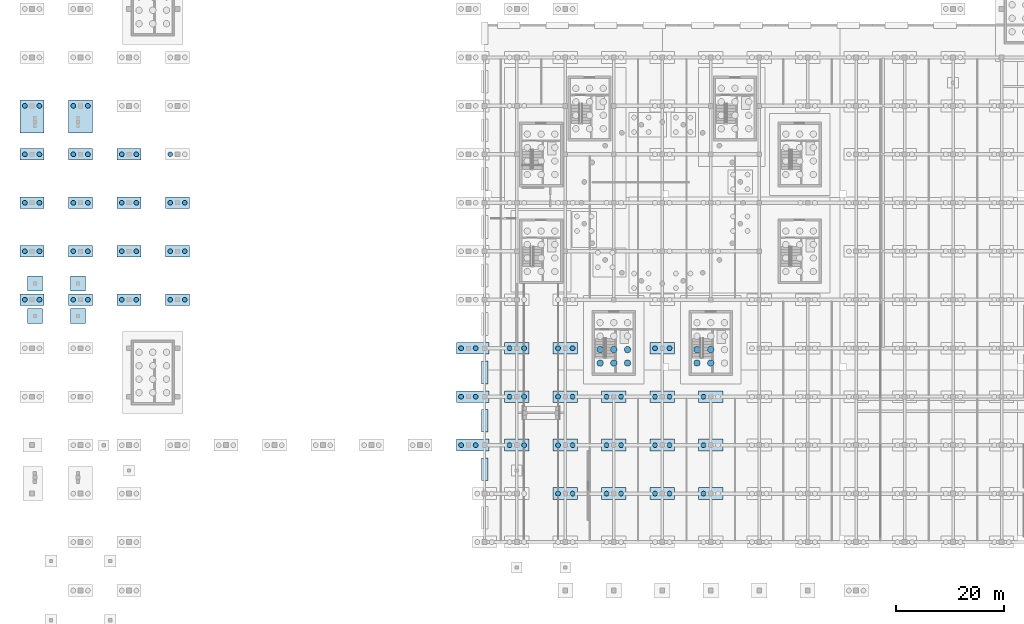
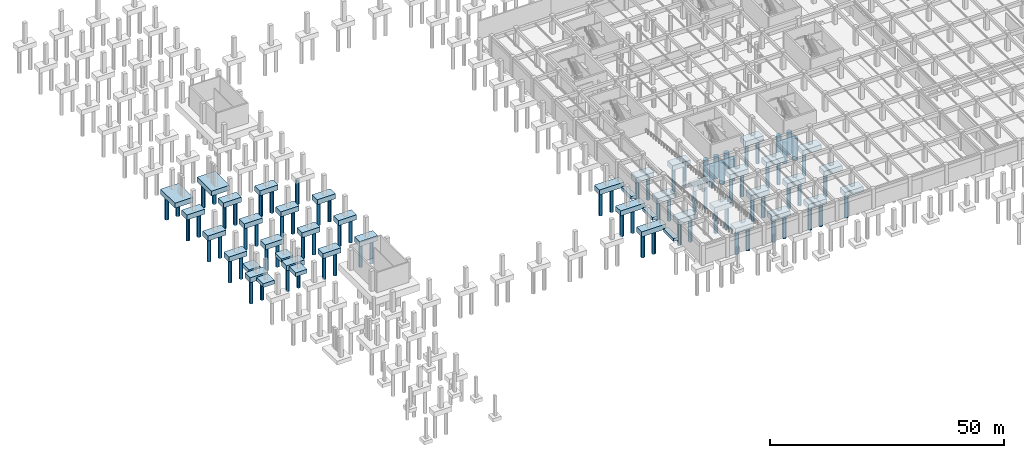
# One storey, part 2 of 27: 82 piles, 44 footings.
"""IFC4 building model written with IfcOpenShell, lengths in metres."""

from ifc_helpers import new_model, si_unit, direction, frame, origin, origin_2d, place, context, subcontext, project, spatial, polyline, circle, outline, extrude, material, layer, layer_set, material_profile, profile_set, type_object, element, save


model = new_model("IFC4")

# Units and contexts
model_context = context("Model", 3, precision=1e-05, world=origin(), true_north=direction((0.0, 1.0)))
body_context = subcontext(model_context, "Body", "Model", "MODEL_VIEW")
ifc_project = project(units=[si_unit("LENGTHUNIT", "METRE"), si_unit("AREAUNIT", "SQUARE_METRE"), si_unit("VOLUMEUNIT", "CUBIC_METRE"), si_unit("PLANEANGLEUNIT", "RADIAN"), si_unit("MASSUNIT", "GRAM", prefix="KILO")], contexts=[model_context])

# Site, building, storey
site_placement = place(None, origin())
site = spatial("IfcSite", under=ifc_project, at=site_placement, CompositionType="ELEMENT")
building_placement = place(site_placement, origin())
building = spatial("IfcBuilding", under=site, at=building_placement, Name="Dornveld Trade and Exhibition Forum", CompositionType="ELEMENT")
storey_placement = place(building_placement, frame((0.0, 0.0, -4.800048828125)))
storey = spatial("IfcBuildingStorey", under=building, at=storey_placement, Name="B1", CompositionType="ELEMENT", Elevation=-4.800048828125)

# Footings
ifc_material_1 = material(Name="Concrete C40/50", Category="concrete")
ifc_layer_1 = layer(ifc_material_1, 1.300048828125)
ifc_layer_set_1 = layer_set([ifc_layer_1], Name="Concrete C40/50")
footing_type_1 = type_object("IfcFootingType", Name="FT-CAP-2P", PredefinedType="PILE_CAP", material=ifc_layer_set_1)
footing_1_placement = place(storey_placement, frame((0.0, 0.0, -1.75)))
element("IfcFooting", 1, at=footing_1_placement, inside=storey, type_object=footing_type_1, Name="Multi-pile cap 15", PredefinedType="PILE_CAP", context=body_context, shape_type="SweptSolid", body=[
    extrude(outline(polyline([(-2.25, 61.89990234375), (2.25, 61.89990234375), (2.25, 64.10009765625), (-2.25, 64.10009765625), (-2.25, 61.89990234375)])), origin(), (0.0, 0.0, 1.0), 1.300048828125),
])
footing_2_placement = place(storey_placement, frame((0.0, 0.0, -1.75)))
element("IfcFooting", 2, at=footing_2_placement, inside=storey, type_object=footing_type_1, Name="Multi-pile cap 16", PredefinedType="PILE_CAP", context=body_context, shape_type="SweptSolid", body=[
    extrude(outline(polyline([(-2.25, 70.89990234375), (2.25, 70.89990234375), (2.25, 73.10009765625), (-2.25, 73.10009765625), (-2.25, 70.89990234375)])), origin(), (0.0, 0.0, 1.0), 1.300048828125),
])
footing_3_placement = place(storey_placement, frame((0.0, 0.0, -1.75)))
element("IfcFooting", 3, at=footing_3_placement, inside=storey, type_object=footing_type_1, Name="Multi-pile cap 17", PredefinedType="PILE_CAP", context=body_context, shape_type="SweptSolid", body=[
    extrude(outline(polyline([(-2.25, 79.89990234375), (2.25, 79.89990234375), (2.25, 82.10009765625), (-2.25, 82.10009765625), (-2.25, 79.89990234375)])), origin(), (0.0, 0.0, 1.0), 1.300048828125),
])
footing_4_placement = place(storey_placement, frame((0.0, 0.0, -1.75)))
element("IfcFooting", 4, at=footing_4_placement, inside=storey, type_object=footing_type_1, Name="Multi-pile cap 18", PredefinedType="PILE_CAP", context=body_context, shape_type="SweptSolid", body=[
    extrude(outline(polyline([(-2.25, 88.89990234375), (2.25, 88.89990234375), (2.25, 91.10009765625), (-2.25, 91.10009765625), (-2.25, 88.89990234375)])), origin(), (0.0, 0.0, 1.0), 1.300048828125),
])
footing_5_placement = place(storey_placement, frame((0.0, 0.0, -1.75)))
element("IfcFooting", 5, at=footing_5_placement, inside=storey, type_object=footing_type_1, Name="Multi-pile cap 19", PredefinedType="PILE_CAP", context=body_context, shape_type="SweptSolid", body=[
    extrude(outline(polyline([(-2.25, 94.0), (2.25, 94.0), (2.25, 100.10009765625), (-2.25, 100.10009765625), (-2.25, 94.0)])), origin(), (0.0, 0.0, 1.0), 1.300048828125),
])
footing_6_placement = place(storey_placement, frame((0.0, 0.0, -1.75)))
element("IfcFooting", 6, at=footing_6_placement, inside=storey, type_object=footing_type_1, Name="Multi-pile cap 34", PredefinedType="PILE_CAP", context=body_context, shape_type="SweptSolid", body=[
    extrude(outline(polyline([(6.75, 61.89990234375), (11.25, 61.89990234375), (11.25, 64.10009765625), (6.75, 64.10009765625), (6.75, 61.89990234375)])), origin(), (0.0, 0.0, 1.0), 1.300048828125),
])
footing_7_placement = place(storey_placement, frame((0.0, 0.0, -1.75)))
element("IfcFooting", 7, at=footing_7_placement, inside=storey, type_object=footing_type_1, Name="Multi-pile cap 35", PredefinedType="PILE_CAP", context=body_context, shape_type="SweptSolid", body=[
    extrude(outline(polyline([(6.75, 70.89990234375), (11.25, 70.89990234375), (11.25, 73.10009765625), (6.75, 73.10009765625), (6.75, 70.89990234375)])), origin(), (0.0, 0.0, 1.0), 1.300048828125),
])
footing_8_placement = place(storey_placement, frame((0.0, 0.0, -1.75)))
element("IfcFooting", 8, at=footing_8_placement, inside=storey, type_object=footing_type_1, Name="Multi-pile cap 36", PredefinedType="PILE_CAP", context=body_context, shape_type="SweptSolid", body=[
    extrude(outline(polyline([(6.75, 79.89990234375), (11.25, 79.89990234375), (11.25, 82.10009765625), (6.75, 82.10009765625), (6.75, 79.89990234375)])), origin(), (0.0, 0.0, 1.0), 1.300048828125),
])
footing_9_placement = place(storey_placement, frame((0.0, 0.0, -1.75)))
element("IfcFooting", 9, at=footing_9_placement, inside=storey, type_object=footing_type_1, Name="Multi-pile cap 37", PredefinedType="PILE_CAP", context=body_context, shape_type="SweptSolid", body=[
    extrude(outline(polyline([(6.75, 88.89990234375), (11.25, 88.89990234375), (11.25, 91.10009765625), (6.75, 91.10009765625), (6.75, 88.89990234375)])), origin(), (0.0, 0.0, 1.0), 1.300048828125),
])
footing_10_placement = place(storey_placement, frame((0.0, 0.0, -1.75)))
element("IfcFooting", 10, at=footing_10_placement, inside=storey, type_object=footing_type_1, Name="Multi-pile cap 38", PredefinedType="PILE_CAP", context=body_context, shape_type="SweptSolid", body=[
    extrude(outline(polyline([(6.75, 94.0), (11.25, 94.0), (11.25, 100.10009765625), (6.75, 100.10009765625), (6.75, 94.0)])), origin(), (0.0, 0.0, 1.0), 1.300048828125),
])
footing_11_placement = place(storey_placement, frame((0.0, 0.0, -1.75)))
element("IfcFooting", 11, at=footing_11_placement, inside=storey, type_object=footing_type_1, Name="Multi-pile cap 50", PredefinedType="PILE_CAP", context=body_context, shape_type="SweptSolid", body=[
    extrude(outline(polyline([(15.75, 61.89990234375), (20.25, 61.89990234375), (20.25, 64.10009765625), (15.75, 64.10009765625), (15.75, 61.89990234375)])), origin(), (0.0, 0.0, 1.0), 1.300048828125),
])
footing_12_placement = place(storey_placement, frame((0.0, 0.0, -1.75)))
element("IfcFooting", 12, at=footing_12_placement, inside=storey, type_object=footing_type_1, Name="Multi-pile cap 51", PredefinedType="PILE_CAP", context=body_context, shape_type="SweptSolid", body=[
    extrude(outline(polyline([(15.75, 70.89990234375), (20.25, 70.89990234375), (20.25, 73.10009765625), (15.75, 73.10009765625), (15.75, 70.89990234375)])), origin(), (0.0, 0.0, 1.0), 1.300048828125),
])
footing_13_placement = place(storey_placement, frame((0.0, 0.0, -1.75)))
element("IfcFooting", 13, at=footing_13_placement, inside=storey, type_object=footing_type_1, Name="Multi-pile cap 52", PredefinedType="PILE_CAP", context=body_context, shape_type="SweptSolid", body=[
    extrude(outline(polyline([(15.75, 79.89990234375), (20.25, 79.89990234375), (20.25, 82.10009765625), (15.75, 82.10009765625), (15.75, 79.89990234375)])), origin(), (0.0, 0.0, 1.0), 1.300048828125),
])
footing_14_placement = place(storey_placement, frame((0.0, 0.0, -1.75)))
element("IfcFooting", 14, at=footing_14_placement, inside=storey, type_object=footing_type_1, Name="Multi-pile cap 53", PredefinedType="PILE_CAP", context=body_context, shape_type="SweptSolid", body=[
    extrude(outline(polyline([(15.75, 88.89990234375), (20.25, 88.89990234375), (20.25, 91.10009765625), (15.75, 91.10009765625), (15.75, 88.89990234375)])), origin(), (0.0, 0.0, 1.0), 1.300048828125),
])
footing_15_placement = place(storey_placement, frame((0.0, 0.0, -1.75)))
element("IfcFooting", 15, at=footing_15_placement, inside=storey, type_object=footing_type_1, Name="Multi-pile cap 61", PredefinedType="PILE_CAP", context=body_context, shape_type="SweptSolid", body=[
    extrude(outline(polyline([(24.75, 61.89990234375), (29.25, 61.89990234375), (29.25, 64.10009765625), (24.75, 64.10009765625), (24.75, 61.89990234375)])), origin(), (0.0, 0.0, 1.0), 1.300048828125),
])
footing_16_placement = place(storey_placement, frame((0.0, 0.0, -1.75)))
element("IfcFooting", 16, at=footing_16_placement, inside=storey, type_object=footing_type_1, Name="Multi-pile cap 62", PredefinedType="PILE_CAP", context=body_context, shape_type="SweptSolid", body=[
    extrude(outline(polyline([(24.75, 70.89990234375), (29.25, 70.89990234375), (29.25, 73.10009765625), (24.75, 73.10009765625), (24.75, 70.89990234375)])), origin(), (0.0, 0.0, 1.0), 1.300048828125),
])
footing_17_placement = place(storey_placement, frame((0.0, 0.0, -1.75)))
element("IfcFooting", 17, at=footing_17_placement, inside=storey, type_object=footing_type_1, Name="Multi-pile cap 63", PredefinedType="PILE_CAP", context=body_context, shape_type="SweptSolid", body=[
    extrude(outline(polyline([(24.75, 79.89990234375), (29.25, 79.89990234375), (29.25, 82.10009765625), (24.75, 82.10009765625), (24.75, 79.89990234375)])), origin(), (0.0, 0.0, 1.0), 1.300048828125),
])
footing_18_placement = place(storey_placement, frame((0.0, 0.0, -1.75)))
element("IfcFooting", 18, at=footing_18_placement, inside=storey, type_object=footing_type_1, Name="Multi-pile cap 81", PredefinedType="PILE_CAP", context=body_context, shape_type="SweptSolid", body=[
    extrude(outline(polyline([(78.75, 34.89990234375), (84.800048828125, 34.89990234375), (84.800048828125, 37.10009765625), (78.75, 37.10009765625), (78.75, 34.89990234375)])), origin(), (0.0, 0.0, 1.0), 1.300048828125),
])
footing_19_placement = place(storey_placement, frame((0.0, 0.0, -1.75)))
element("IfcFooting", 19, at=footing_19_placement, inside=storey, type_object=footing_type_1, Name="Multi-pile cap 82", PredefinedType="PILE_CAP", context=body_context, shape_type="SweptSolid", body=[
    extrude(outline(polyline([(78.75, 43.89990234375), (84.800048828125, 43.89990234375), (84.800048828125, 46.10009765625), (78.75, 46.10009765625), (78.75, 43.89990234375)])), origin(), (0.0, 0.0, 1.0), 1.300048828125),
])
footing_20_placement = place(storey_placement, frame((0.0, 0.0, -1.75)))
element("IfcFooting", 20, at=footing_20_placement, inside=storey, type_object=footing_type_1, Name="Multi-pile cap 83", PredefinedType="PILE_CAP", context=body_context, shape_type="SweptSolid", body=[
    extrude(outline(polyline([(78.75, 52.89990234375), (84.800048828125, 52.89990234375), (84.800048828125, 55.10009765625), (78.75, 55.10009765625), (78.75, 52.89990234375)])), origin(), (0.0, 0.0, 1.0), 1.300048828125),
])
footing_21_placement = place(storey_placement, frame((0.0, 0.0, -1.75)))
element("IfcFooting", 21, at=footing_21_placement, inside=storey, type_object=footing_type_1, Name="Multi-pile cap 97", PredefinedType="PILE_CAP", context=body_context, shape_type="SweptSolid", body=[
    extrude(outline(polyline([(87.75, 34.89990234375), (92.25, 34.89990234375), (92.25, 37.10009765625), (87.75, 37.10009765625), (87.75, 34.89990234375)])), origin(), (0.0, 0.0, 1.0), 1.300048828125),
])
footing_22_placement = place(storey_placement, frame((0.0, 0.0, -1.75)))
element("IfcFooting", 22, at=footing_22_placement, inside=storey, type_object=footing_type_1, Name="Multi-pile cap 98", PredefinedType="PILE_CAP", context=body_context, shape_type="SweptSolid", body=[
    extrude(outline(polyline([(87.75, 43.89990234375), (92.25, 43.89990234375), (92.25, 46.10009765625), (87.75, 46.10009765625), (87.75, 43.89990234375)])), origin(), (0.0, 0.0, 1.0), 1.300048828125),
])
footing_23_placement = place(storey_placement, frame((0.0, 0.0, -1.75)))
element("IfcFooting", 23, at=footing_23_placement, inside=storey, type_object=footing_type_1, Name="Multi-pile cap 99", PredefinedType="PILE_CAP", context=body_context, shape_type="SweptSolid", body=[
    extrude(outline(polyline([(87.75, 52.89990234375), (92.25, 52.89990234375), (92.25, 55.10009765625), (87.75, 55.10009765625), (87.75, 52.89990234375)])), origin(), (0.0, 0.0, 1.0), 1.300048828125),
])
footing_24_placement = place(storey_placement, frame((0.0, 0.0, -1.75)))
element("IfcFooting", 24, at=footing_24_placement, inside=storey, type_object=footing_type_1, Name="Multi-pile cap 111", PredefinedType="PILE_CAP", context=body_context, shape_type="SweptSolid", body=[
    extrude(outline(polyline([(96.75, 25.89990234375), (101.25, 25.89990234375), (101.25, 28.10009765625), (96.75, 28.10009765625), (96.75, 25.89990234375)])), origin(), (0.0, 0.0, 1.0), 1.300048828125),
])
footing_25_placement = place(storey_placement, frame((0.0, 0.0, -1.75)))
element("IfcFooting", 25, at=footing_25_placement, inside=storey, type_object=footing_type_1, Name="Multi-pile cap 112", PredefinedType="PILE_CAP", context=body_context, shape_type="SweptSolid", body=[
    extrude(outline(polyline([(96.75, 34.89990234375), (101.25, 34.89990234375), (101.25, 37.10009765625), (96.75, 37.10009765625), (96.75, 34.89990234375)])), origin(), (0.0, 0.0, 1.0), 1.300048828125),
])
footing_26_placement = place(storey_placement, frame((0.0, 0.0, -1.75)))
element("IfcFooting", 26, at=footing_26_placement, inside=storey, type_object=footing_type_1, Name="Multi-pile cap 113", PredefinedType="PILE_CAP", context=body_context, shape_type="SweptSolid", body=[
    extrude(outline(polyline([(96.75, 43.89990234375), (101.25, 43.89990234375), (101.25, 46.10009765625), (96.75, 46.10009765625), (96.75, 43.89990234375)])), origin(), (0.0, 0.0, 1.0), 1.300048828125),
])
footing_27_placement = place(storey_placement, frame((0.0, 0.0, -1.75)))
element("IfcFooting", 27, at=footing_27_placement, inside=storey, type_object=footing_type_1, Name="Multi-pile cap 114", PredefinedType="PILE_CAP", context=body_context, shape_type="SweptSolid", body=[
    extrude(outline(polyline([(96.75, 52.89990234375), (101.25, 52.89990234375), (101.25, 55.10009765625), (96.75, 55.10009765625), (96.75, 52.89990234375)])), origin(), (0.0, 0.0, 1.0), 1.300048828125),
])
footing_28_placement = place(storey_placement, frame((0.0, 0.0, -1.75)))
element("IfcFooting", 28, at=footing_28_placement, inside=storey, type_object=footing_type_1, Name="Multi-pile cap 127", PredefinedType="PILE_CAP", context=body_context, shape_type="SweptSolid", body=[
    extrude(outline(polyline([(105.75, 25.89990234375), (110.25, 25.89990234375), (110.25, 28.10009765625), (105.75, 28.10009765625), (105.75, 25.89990234375)])), origin(), (0.0, 0.0, 1.0), 1.300048828125),
])
footing_29_placement = place(storey_placement, frame((0.0, 0.0, -1.75)))
element("IfcFooting", 29, at=footing_29_placement, inside=storey, type_object=footing_type_1, Name="Multi-pile cap 128", PredefinedType="PILE_CAP", context=body_context, shape_type="SweptSolid", body=[
    extrude(outline(polyline([(105.75, 34.89990234375), (110.25, 34.89990234375), (110.25, 37.10009765625), (105.75, 37.10009765625), (105.75, 34.89990234375)])), origin(), (0.0, 0.0, 1.0), 1.300048828125),
])
footing_30_placement = place(storey_placement, frame((0.0, 0.0, -1.75)))
element("IfcFooting", 30, at=footing_30_placement, inside=storey, type_object=footing_type_1, Name="Multi-pile cap 129", PredefinedType="PILE_CAP", context=body_context, shape_type="SweptSolid", body=[
    extrude(outline(polyline([(105.75, 43.89990234375), (110.25, 43.89990234375), (110.25, 46.10009765625), (105.75, 46.10009765625), (105.75, 43.89990234375)])), origin(), (0.0, 0.0, 1.0), 1.300048828125),
])
footing_31_placement = place(storey_placement, frame((0.0, 0.0, -1.75)))
element("IfcFooting", 31, at=footing_31_placement, inside=storey, type_object=footing_type_1, Name="Multi-pile cap 136", PredefinedType="PILE_CAP", context=body_context, shape_type="SweptSolid", body=[
    extrude(outline(polyline([(114.75, 25.89990234375), (119.25, 25.89990234375), (119.25, 28.10009765625), (114.75, 28.10009765625), (114.75, 25.89990234375)])), origin(), (0.0, 0.0, 1.0), 1.300048828125),
])
footing_32_placement = place(storey_placement, frame((0.0, 0.0, -1.75)))
element("IfcFooting", 32, at=footing_32_placement, inside=storey, type_object=footing_type_1, Name="Multi-pile cap 137", PredefinedType="PILE_CAP", context=body_context, shape_type="SweptSolid", body=[
    extrude(outline(polyline([(114.75, 34.89990234375), (119.25, 34.89990234375), (119.25, 37.10009765625), (114.75, 37.10009765625), (114.75, 34.89990234375)])), origin(), (0.0, 0.0, 1.0), 1.300048828125),
])
footing_33_placement = place(storey_placement, frame((0.0, 0.0, -1.75)))
element("IfcFooting", 33, at=footing_33_placement, inside=storey, type_object=footing_type_1, Name="Multi-pile cap 138", PredefinedType="PILE_CAP", context=body_context, shape_type="SweptSolid", body=[
    extrude(outline(polyline([(114.75, 43.89990234375), (119.25, 43.89990234375), (119.25, 46.10009765625), (114.75, 46.10009765625), (114.75, 43.89990234375)])), origin(), (0.0, 0.0, 1.0), 1.300048828125),
])
footing_34_placement = place(storey_placement, frame((0.0, 0.0, -1.75)))
element("IfcFooting", 34, at=footing_34_placement, inside=storey, type_object=footing_type_1, Name="Multi-pile cap 139", PredefinedType="PILE_CAP", context=body_context, shape_type="SweptSolid", body=[
    extrude(outline(polyline([(114.75, 52.89990234375), (119.25, 52.89990234375), (119.25, 55.10009765625), (114.75, 55.10009765625), (114.75, 52.89990234375)])), origin(), (0.0, 0.0, 1.0), 1.300048828125),
])
footing_35_placement = place(storey_placement, frame((0.0, 0.0, -1.75)))
element("IfcFooting", 35, at=footing_35_placement, inside=storey, type_object=footing_type_1, Name="Multi-pile cap 150", PredefinedType="PILE_CAP", context=body_context, shape_type="SweptSolid", body=[
    extrude(outline(polyline([(123.75, 25.89990234375), (128.25, 25.89990234375), (128.25, 28.10009765625), (123.75, 28.10009765625), (123.75, 25.89990234375)])), origin(), (0.0, 0.0, 1.0), 1.300048828125),
])
footing_36_placement = place(storey_placement, frame((0.0, 0.0, -1.75)))
element("IfcFooting", 36, at=footing_36_placement, inside=storey, type_object=footing_type_1, Name="Multi-pile cap 151", PredefinedType="PILE_CAP", context=body_context, shape_type="SweptSolid", body=[
    extrude(outline(polyline([(123.75, 34.89990234375), (128.25, 34.89990234375), (128.25, 37.10009765625), (123.75, 37.10009765625), (123.75, 34.89990234375)])), origin(), (0.0, 0.0, 1.0), 1.300048828125),
])
footing_37_placement = place(storey_placement, frame((0.0, 0.0, -1.75)))
element("IfcFooting", 37, at=footing_37_placement, inside=storey, type_object=footing_type_1, Name="Multi-pile cap 152", PredefinedType="PILE_CAP", context=body_context, shape_type="SweptSolid", body=[
    extrude(outline(polyline([(123.75, 43.89990234375), (128.25, 43.89990234375), (128.25, 46.10009765625), (123.75, 46.10009765625), (123.75, 43.89990234375)])), origin(), (0.0, 0.0, 1.0), 1.300048828125),
])
ifc_material_2 = material(Name="Concrete C40/50", Category="concrete")
ifc_layer_2 = layer(ifc_material_2, 1.0)
ifc_layer_set_2 = layer_set([ifc_layer_2], Name="Concrete C40/50")
footing_type_2 = type_object("IfcFootingType", Name="FT-PAD-VIAD", PredefinedType="PAD_FOOTING", material=ifc_layer_set_2)
footing_38_placement = place(storey_placement, frame((0.0, 0.0, -1.449951171875)))
element("IfcFooting", 38, at=footing_38_placement, inside=storey, type_object=footing_type_2, Name="Ramp pier pad footing 3", PredefinedType="PAD_FOOTING", context=body_context, shape_type="SweptSolid", body=[
    extrude(outline(polyline([(-0.89990234375, 58.60009765625), (1.89990234375, 58.60009765625), (1.89990234375, 61.39990234375), (-0.89990234375, 61.39990234375), (-0.89990234375, 58.60009765625)])), origin(), (0.0, 0.0, 1.0), 1.0),
])
footing_39_placement = place(storey_placement, frame((0.0, 0.0, -1.449951171875)))
element("IfcFooting", 39, at=footing_39_placement, inside=storey, type_object=footing_type_2, Name="Ramp pier pad footing 4", PredefinedType="PAD_FOOTING", context=body_context, shape_type="SweptSolid", body=[
    extrude(outline(polyline([(7.10009765625, 58.60009765625), (9.89990234375, 58.60009765625), (9.89990234375, 61.39990234375), (7.10009765625, 61.39990234375), (7.10009765625, 58.60009765625)])), origin(), (0.0, 0.0, 1.0), 1.0),
])
footing_40_placement = place(storey_placement, frame((0.0, 0.0, -1.449951171875)))
element("IfcFooting", 40, at=footing_40_placement, inside=storey, type_object=footing_type_2, Name="Ramp pier pad footing 5", PredefinedType="PAD_FOOTING", context=body_context, shape_type="SweptSolid", body=[
    extrude(outline(polyline([(-0.89990234375, 64.60009765625), (1.89990234375, 64.60009765625), (1.89990234375, 67.39990234375), (-0.89990234375, 67.39990234375), (-0.89990234375, 64.60009765625)])), origin(), (0.0, 0.0, 1.0), 1.0),
])
footing_41_placement = place(storey_placement, frame((0.0, 0.0, -1.449951171875)))
element("IfcFooting", 41, at=footing_41_placement, inside=storey, type_object=footing_type_2, Name="Ramp pier pad footing 6", PredefinedType="PAD_FOOTING", context=body_context, shape_type="SweptSolid", body=[
    extrude(outline(polyline([(7.10009765625, 64.60009765625), (9.89990234375, 64.60009765625), (9.89990234375, 67.39990234375), (7.10009765625, 67.39990234375), (7.10009765625, 64.60009765625)])), origin(), (0.0, 0.0, 1.0), 1.0),
])
ifc_material_3 = material(Name="Concrete C40/50", Category="concrete")
ifc_layer_3 = layer(ifc_material_3, 0.800048828125)
ifc_layer_set_3 = layer_set([ifc_layer_3], Name="Concrete C40/50")
footing_type_3 = type_object("IfcFootingType", Name="FT-STRIP-900", PredefinedType="STRIP_FOOTING", material=ifc_layer_set_3)
footing_42_placement = place(storey_placement, frame((0.0, 0.0, -1.25)))
element("IfcFooting", 42, at=footing_42_placement, inside=storey, type_object=footing_type_3, Name="Basement perimeter strip footing 15", PredefinedType="STRIP_FOOTING", context=body_context, shape_type="SweptSolid", body=[
    extrude(outline(polyline([(83.39990234375, 29.39990234375), (84.60009765625, 29.39990234375), (84.60009765625, 33.60009765625), (83.39990234375, 33.60009765625), (83.39990234375, 29.39990234375)])), origin(), (0.0, 0.0, 1.0), 0.800048828125),
])
footing_43_placement = place(storey_placement, frame((0.0, 0.0, -1.25)))
element("IfcFooting", 43, at=footing_43_placement, inside=storey, type_object=footing_type_3, Name="Basement perimeter strip footing 16", PredefinedType="STRIP_FOOTING", context=body_context, shape_type="SweptSolid", body=[
    extrude(outline(polyline([(83.39990234375, 38.39990234375), (84.60009765625, 38.39990234375), (84.60009765625, 42.60009765625), (83.39990234375, 42.60009765625), (83.39990234375, 38.39990234375)])), origin(), (0.0, 0.0, 1.0), 0.800048828125),
])
footing_44_placement = place(storey_placement, frame((0.0, 0.0, -1.25)))
element("IfcFooting", 44, at=footing_44_placement, inside=storey, type_object=footing_type_3, Name="Basement perimeter strip footing 17", PredefinedType="STRIP_FOOTING", context=body_context, shape_type="SweptSolid", body=[
    extrude(outline(polyline([(83.39990234375, 47.39990234375), (84.60009765625, 47.39990234375), (84.60009765625, 51.60009765625), (83.39990234375, 51.60009765625), (83.39990234375, 47.39990234375)])), origin(), (0.0, 0.0, 1.0), 0.800048828125),
])

# Piles
ifc_material_4 = material(Name="Concrete C40/50", Category="concrete")
ifc_material_profile_1 = material_profile(ifc_material_4, circle(Radius=0.60009765625, at=origin_2d()), Name="PILE D1200")
ifc_profile_set_1 = profile_set([ifc_material_profile_1], Name="Concrete C40/50")
pile_type_1 = type_object("IfcPileType", Name="PILE-B1200", PredefinedType="BORED", material=ifc_profile_set_1)
for number, where, z_axis, x_axis, name in (
    (45, (105.449951171875, 51.25, -2.14990234375), (0.0, 0.0, -1.0), (1.0, 0.0, 0.0), "CORE-06 rock-socketed bored pile 1"),
    (46, (105.449951171875, 53.75, -2.14990234375), (0.0, 0.0, -1.0), (1.0, 0.0, 0.0), "CORE-06 rock-socketed bored pile 2"),
    (47, (108.0, 51.25, -2.14990234375), (0.0, 0.0, -1.0), (1.0, 0.0, 0.0), "CORE-06 rock-socketed bored pile 5"),
    (48, (108.0, 53.75, -2.14990234375), (0.0, 0.0, -1.0), (1.0, 0.0, 0.0), "CORE-06 rock-socketed bored pile 6"),
    (49, (110.550048828125, 51.25, -2.14990234375), (0.0, 0.0, -1.0), (1.0, 0.0, 0.0), "CORE-06 rock-socketed bored pile 9"),
    (50, (110.550048828125, 53.75, -2.14990234375), (0.0, 0.0, -1.0), (1.0, 0.0, 0.0), "CORE-06 rock-socketed bored pile 10"),
    (51, (123.449951171875, 51.25, -2.14990234375), (0.0, 0.0, -1.0), (1.0, 0.0, 0.0), "CORE-07 rock-socketed bored pile 1"),
    (52, (123.449951171875, 53.75, -2.14990234375), (0.0, 0.0, -1.0), (1.0, 0.0, 0.0), "CORE-07 rock-socketed bored pile 2"),
    (53, (126.0, 51.25, -2.14990234375), (0.0, 0.0, -1.0), (1.0, 0.0, 0.0), "CORE-07 rock-socketed bored pile 5"),
    (54, (126.0, 53.75, -2.14990234375), (0.0, 0.0, -1.0), (1.0, 0.0, 0.0), "CORE-07 rock-socketed bored pile 6"),
):
    element("IfcPile", number, at=place(storey_placement, frame(where, z_axis=z_axis, x_axis=x_axis)), inside=storey, type_object=pile_type_1, Name=name, PredefinedType="BORED", context=body_context, shape_type="SweptSolid", body=[
        extrude(circle(Radius=0.60009765625, at=origin_2d()), origin(), (0.0, 0.0, 1.0), 5.75),
    ])
ifc_material_5 = material(Name="Concrete C40/50", Category="concrete")
ifc_material_profile_2 = material_profile(ifc_material_5, circle(Radius=0.449951171875, at=origin_2d()), Name="PILE D900")
ifc_profile_set_2 = profile_set([ifc_material_profile_2], Name="Concrete C40/50")
pile_type_2 = type_object("IfcPileType", Name="PILE-B900", PredefinedType="BORED", material=ifc_profile_set_2)
for number, where, z_axis, x_axis, name in (
    (55, (-1.35009765625, 63.0, -1.64990234375), (0.0, 0.0, -1.0), (1.0, 0.0, 0.0), "Cap 15 rock-socketed pile 1"),
    (56, (1.35009765625, 63.0, -1.64990234375), (0.0, 0.0, -1.0), (1.0, 0.0, 0.0), "Cap 15 rock-socketed pile 2"),
    (57, (-1.35009765625, 72.0, -1.64990234375), (0.0, 0.0, -1.0), (1.0, 0.0, 0.0), "Cap 16 rock-socketed pile 1"),
    (58, (1.35009765625, 72.0, -1.64990234375), (0.0, 0.0, -1.0), (1.0, 0.0, 0.0), "Cap 16 rock-socketed pile 2"),
    (59, (-1.35009765625, 81.0, -1.64990234375), (0.0, 0.0, -1.0), (1.0, 0.0, 0.0), "Cap 17 rock-socketed pile 1"),
    (60, (1.35009765625, 81.0, -1.64990234375), (0.0, 0.0, -1.0), (1.0, 0.0, 0.0), "Cap 17 rock-socketed pile 2"),
    (61, (-1.35009765625, 90.0, -1.64990234375), (0.0, 0.0, -1.0), (1.0, 0.0, 0.0), "Cap 18 rock-socketed pile 1"),
    (62, (1.35009765625, 90.0, -1.64990234375), (0.0, 0.0, -1.0), (1.0, 0.0, 0.0), "Cap 18 rock-socketed pile 2"),
    (63, (-1.35009765625, 99.0, -1.64990234375), (0.0, 0.0, -1.0), (1.0, 0.0, 0.0), "Cap 19 rock-socketed pile 1"),
    (64, (1.35009765625, 99.0, -1.64990234375), (0.0, 0.0, -1.0), (1.0, 0.0, 0.0), "Cap 19 rock-socketed pile 2"),
    (65, (7.64990234375, 63.0, -1.64990234375), (0.0, 0.0, -1.0), (1.0, 0.0, 0.0), "Cap 34 rock-socketed pile 1"),
    (66, (10.35009765625, 63.0, -1.64990234375), (0.0, 0.0, -1.0), (1.0, 0.0, 0.0), "Cap 34 rock-socketed pile 2"),
    (67, (7.64990234375, 72.0, -1.64990234375), (0.0, 0.0, -1.0), (1.0, 0.0, 0.0), "Cap 35 rock-socketed pile 1"),
    (68, (10.35009765625, 72.0, -1.64990234375), (0.0, 0.0, -1.0), (1.0, 0.0, 0.0), "Cap 35 rock-socketed pile 2"),
    (69, (7.64990234375, 81.0, -1.64990234375), (0.0, 0.0, -1.0), (1.0, 0.0, 0.0), "Cap 36 rock-socketed pile 1"),
    (70, (10.35009765625, 81.0, -1.64990234375), (0.0, 0.0, -1.0), (1.0, 0.0, 0.0), "Cap 36 rock-socketed pile 2"),
    (71, (7.64990234375, 90.0, -1.64990234375), (0.0, 0.0, -1.0), (1.0, 0.0, 0.0), "Cap 37 rock-socketed pile 1"),
    (72, (10.35009765625, 90.0, -1.64990234375), (0.0, 0.0, -1.0), (1.0, 0.0, 0.0), "Cap 37 rock-socketed pile 2"),
    (73, (7.64990234375, 99.0, -1.64990234375), (0.0, 0.0, -1.0), (1.0, 0.0, 0.0), "Cap 38 rock-socketed pile 1"),
    (74, (10.35009765625, 99.0, -1.64990234375), (0.0, 0.0, -1.0), (1.0, 0.0, 0.0), "Cap 38 rock-socketed pile 2"),
    (75, (16.64990234375, 63.0, -1.64990234375), (0.0, 0.0, -1.0), (1.0, 0.0, 0.0), "Cap 50 rock-socketed pile 1"),
    (76, (19.35009765625, 63.0, -1.64990234375), (0.0, 0.0, -1.0), (1.0, 0.0, 0.0), "Cap 50 rock-socketed pile 2"),
    (77, (16.64990234375, 72.0, -1.64990234375), (0.0, 0.0, -1.0), (1.0, 0.0, 0.0), "Cap 51 rock-socketed pile 1"),
    (78, (19.35009765625, 72.0, -1.64990234375), (0.0, 0.0, -1.0), (1.0, 0.0, 0.0), "Cap 51 rock-socketed pile 2"),
    (79, (16.64990234375, 81.0, -1.64990234375), (0.0, 0.0, -1.0), (1.0, 0.0, 0.0), "Cap 52 rock-socketed pile 1"),
    (80, (19.35009765625, 81.0, -1.64990234375), (0.0, 0.0, -1.0), (1.0, 0.0, 0.0), "Cap 52 rock-socketed pile 2"),
    (81, (16.64990234375, 90.0, -1.64990234375), (0.0, 0.0, -1.0), (1.0, 0.0, 0.0), "Cap 53 rock-socketed pile 1"),
    (82, (19.35009765625, 90.0, -1.64990234375), (0.0, 0.0, -1.0), (1.0, 0.0, 0.0), "Cap 53 rock-socketed pile 2"),
    (83, (25.64990234375, 63.0, -1.64990234375), (0.0, 0.0, -1.0), (1.0, 0.0, 0.0), "Cap 61 rock-socketed pile 1"),
    (84, (28.35009765625, 63.0, -1.64990234375), (0.0, 0.0, -1.0), (1.0, 0.0, 0.0), "Cap 61 rock-socketed pile 2"),
    (85, (25.64990234375, 72.0, -1.64990234375), (0.0, 0.0, -1.0), (1.0, 0.0, 0.0), "Cap 62 rock-socketed pile 1"),
    (86, (28.35009765625, 72.0, -1.64990234375), (0.0, 0.0, -1.0), (1.0, 0.0, 0.0), "Cap 62 rock-socketed pile 2"),
    (87, (25.64990234375, 81.0, -1.64990234375), (0.0, 0.0, -1.0), (1.0, 0.0, 0.0), "Cap 63 rock-socketed pile 1"),
    (88, (28.35009765625, 81.0, -1.64990234375), (0.0, 0.0, -1.0), (1.0, 0.0, 0.0), "Cap 63 rock-socketed pile 2"),
    (89, (25.64990234375, 90.0, -1.64990234375), (0.0, 0.0, -1.0), (1.0, 0.0, 0.0), "Cap 64 rock-socketed pile 1"),
    (90, (79.64990234375, 36.0, -1.64990234375), (0.0, 0.0, -1.0), (1.0, 0.0, 0.0), "Cap 81 rock-socketed pile 1"),
    (91, (82.35009765625, 36.0, -1.64990234375), (0.0, 0.0, -1.0), (1.0, 0.0, 0.0), "Cap 81 rock-socketed pile 2"),
    (92, (79.64990234375, 45.0, -1.64990234375), (0.0, 0.0, -1.0), (1.0, 0.0, 0.0), "Cap 82 rock-socketed pile 1"),
    (93, (82.35009765625, 45.0, -1.64990234375), (0.0, 0.0, -1.0), (1.0, 0.0, 0.0), "Cap 82 rock-socketed pile 2"),
    (94, (79.64990234375, 54.0, -1.64990234375), (0.0, 0.0, -1.0), (1.0, 0.0, 0.0), "Cap 83 rock-socketed pile 1"),
    (95, (82.35009765625, 54.0, -1.64990234375), (0.0, 0.0, -1.0), (1.0, 0.0, 0.0), "Cap 83 rock-socketed pile 2"),
    (96, (88.64990234375, 36.0, -1.64990234375), (0.0, 0.0, -1.0), (1.0, 0.0, 0.0), "Cap 97 rock-socketed pile 1"),
    (97, (91.35009765625, 36.0, -1.64990234375), (0.0, 0.0, -1.0), (1.0, 0.0, 0.0), "Cap 97 rock-socketed pile 2"),
    (98, (88.64990234375, 45.0, -1.64990234375), (0.0, 0.0, -1.0), (1.0, 0.0, 0.0), "Cap 98 rock-socketed pile 1"),
    (99, (91.35009765625, 45.0, -1.64990234375), (0.0, 0.0, -1.0), (1.0, 0.0, 0.0), "Cap 98 rock-socketed pile 2"),
    (100, (88.64990234375, 54.0, -1.64990234375), (0.0, 0.0, -1.0), (1.0, 0.0, 0.0), "Cap 99 rock-socketed pile 1"),
    (101, (91.35009765625, 54.0, -1.64990234375), (0.0, 0.0, -1.0), (1.0, 0.0, 0.0), "Cap 99 rock-socketed pile 2"),
    (102, (97.64990234375, 27.0, -1.64990234375), (0.0, 0.0, -1.0), (1.0, 0.0, 0.0), "Cap 111 rock-socketed pile 1"),
    (103, (100.35009765625, 27.0, -1.64990234375), (0.0, 0.0, -1.0), (1.0, 0.0, 0.0), "Cap 111 rock-socketed pile 2"),
    (104, (97.64990234375, 36.0, -1.64990234375), (0.0, 0.0, -1.0), (1.0, 0.0, 0.0), "Cap 112 rock-socketed pile 1"),
    (105, (100.35009765625, 36.0, -1.64990234375), (0.0, 0.0, -1.0), (1.0, 0.0, 0.0), "Cap 112 rock-socketed pile 2"),
    (106, (97.64990234375, 45.0, -1.64990234375), (0.0, 0.0, -1.0), (1.0, 0.0, 0.0), "Cap 113 rock-socketed pile 1"),
    (107, (100.35009765625, 45.0, -1.64990234375), (0.0, 0.0, -1.0), (1.0, 0.0, 0.0), "Cap 113 rock-socketed pile 2"),
    (108, (97.64990234375, 54.0, -1.64990234375), (0.0, 0.0, -1.0), (1.0, 0.0, 0.0), "Cap 114 rock-socketed pile 1"),
    (109, (100.35009765625, 54.0, -1.64990234375), (0.0, 0.0, -1.0), (1.0, 0.0, 0.0), "Cap 114 rock-socketed pile 2"),
    (110, (106.64990234375, 27.0, -1.64990234375), (0.0, 0.0, -1.0), (1.0, 0.0, 0.0), "Cap 127 rock-socketed pile 1"),
    (111, (109.35009765625, 27.0, -1.64990234375), (0.0, 0.0, -1.0), (1.0, 0.0, 0.0), "Cap 127 rock-socketed pile 2"),
    (112, (106.64990234375, 36.0, -1.64990234375), (0.0, 0.0, -1.0), (1.0, 0.0, 0.0), "Cap 128 rock-socketed pile 1"),
    (113, (109.35009765625, 36.0, -1.64990234375), (0.0, 0.0, -1.0), (1.0, 0.0, 0.0), "Cap 128 rock-socketed pile 2"),
    (114, (106.64990234375, 45.0, -1.64990234375), (0.0, 0.0, -1.0), (1.0, 0.0, 0.0), "Cap 129 rock-socketed pile 1"),
    (115, (109.35009765625, 45.0, -1.64990234375), (0.0, 0.0, -1.0), (1.0, 0.0, 0.0), "Cap 129 rock-socketed pile 2"),
    (116, (115.64990234375, 27.0, -1.64990234375), (0.0, 0.0, -1.0), (1.0, 0.0, 0.0), "Cap 136 rock-socketed pile 1"),
    (117, (118.35009765625, 27.0, -1.64990234375), (0.0, 0.0, -1.0), (1.0, 0.0, 0.0), "Cap 136 rock-socketed pile 2"),
    (118, (115.64990234375, 36.0, -1.64990234375), (0.0, 0.0, -1.0), (1.0, 0.0, 0.0), "Cap 137 rock-socketed pile 1"),
    (119, (118.35009765625, 36.0, -1.64990234375), (0.0, 0.0, -1.0), (1.0, 0.0, 0.0), "Cap 137 rock-socketed pile 2"),
    (120, (115.64990234375, 45.0, -1.64990234375), (0.0, 0.0, -1.0), (1.0, 0.0, 0.0), "Cap 138 rock-socketed pile 1"),
    (121, (118.35009765625, 45.0, -1.64990234375), (0.0, 0.0, -1.0), (1.0, 0.0, 0.0), "Cap 138 rock-socketed pile 2"),
    (122, (115.64990234375, 54.0, -1.64990234375), (0.0, 0.0, -1.0), (1.0, 0.0, 0.0), "Cap 139 rock-socketed pile 1"),
    (123, (118.35009765625, 54.0, -1.64990234375), (0.0, 0.0, -1.0), (1.0, 0.0, 0.0), "Cap 139 rock-socketed pile 2"),
    (124, (124.64990234375, 27.0, -1.64990234375), (0.0, 0.0, -1.0), (1.0, 0.0, 0.0), "Cap 150 rock-socketed pile 1"),
    (125, (124.64990234375, 36.0, -1.64990234375), (0.0, 0.0, -1.0), (1.0, 0.0, 0.0), "Cap 151 rock-socketed pile 1"),
    (126, (124.64990234375, 45.0, -1.64990234375), (0.0, 0.0, -1.0), (1.0, 0.0, 0.0), "Cap 152 rock-socketed pile 1"),
):
    element("IfcPile", number, at=place(storey_placement, frame(where, z_axis=z_axis, x_axis=x_axis)), inside=storey, type_object=pile_type_2, Name=name, PredefinedType="BORED", context=body_context, shape_type="SweptSolid", body=[
        extrude(circle(Radius=0.449951171875, at=origin_2d()), origin(), (0.0, 0.0, 1.0), 6.25),
    ])

save(model, "model.ifc")
